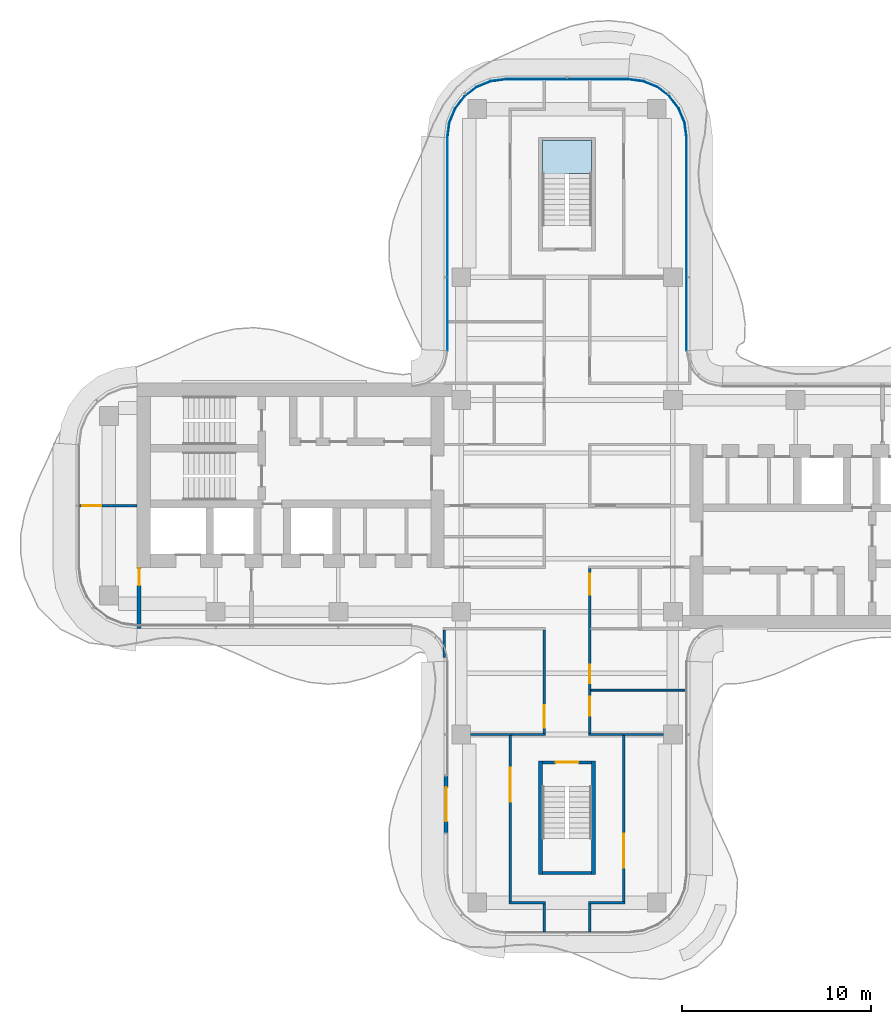
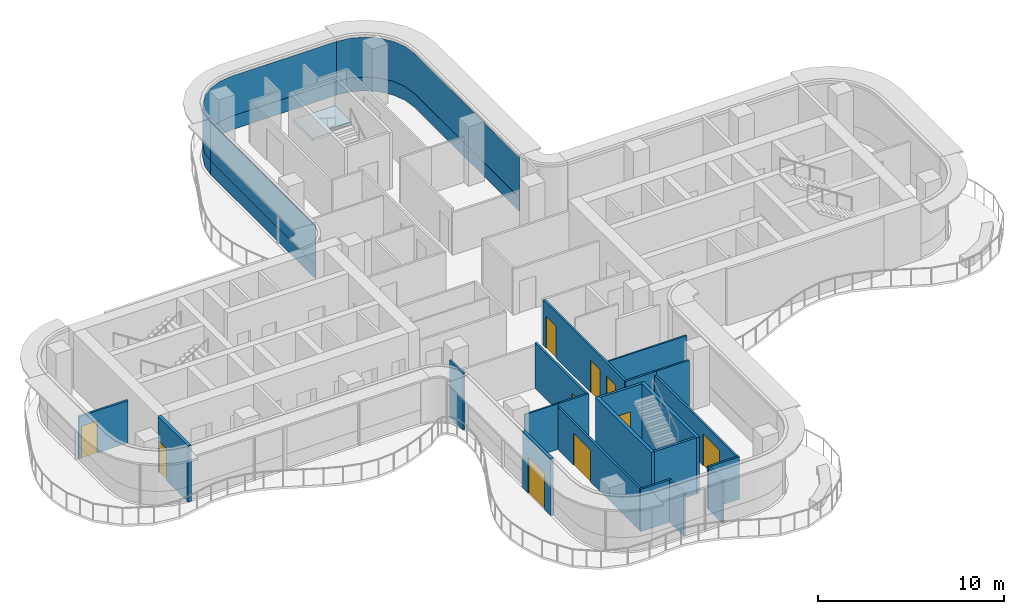
# One storey, part 10 of 16: 21 walls, 10 doors, 6 plates, 1 slab, 10 openings, 4 elements without a shape of their own.
"""IFC4 building model written with IfcOpenShell, lengths in metres."""

import ifcopenshell
import ifcopenshell.guid

model = None  # the IFC model being written
_history = None  # IfcOwnerHistory: only IFC2X3 demands one
_inside = {}  # id of a spatial element -> (the spatial element, [elements in it])
_under = {}  # id of a project, library or spatial element -> (it, [spatial elements below it])
_declared = {}  # id of a project -> (the project, [libraries it declares])
_typed = {}  # id of a type object -> (the type object, [elements of that type])
_made_of = {}  # id of a material, layer set ... -> (it, [elements and type objects made of it])


def new_model(schema):
    """Start an empty IFC model of exactly this schema.

    Asked for "IFC4X3", IfcOpenShell would pick the latest addendum, in which some entities
    have other attributes; the version numbers below select the first issue.
    IFC2X3 requires an IfcOwnerHistory on every rooted entity: one is made here for all.
    """
    global model, _history
    if schema == "IFC4X3":
        model = ifcopenshell.file(schema_version=(4, 3, 0, 0))
    else:
        model = ifcopenshell.file(schema=schema)
    _inside.clear()
    _under.clear()
    _declared.clear()
    _typed.clear()
    _made_of.clear()
    _history = None
    if model.schema == "IFC2X3":
        org = make("IfcOrganization", Name="unknown")
        user = make(
            "IfcPersonAndOrganization",
            ThePerson=make("IfcPerson", FamilyName="unknown"),
            TheOrganization=org,
        )
        app = make(
            "IfcApplication",
            ApplicationDeveloper=org,
            Version="unknown",
            ApplicationFullName="unknown",
            ApplicationIdentifier="unknown",
        )
        _history = make(
            "IfcOwnerHistory",
            OwningUser=user,
            OwningApplication=app,
            ChangeAction="ADDED",
            CreationDate=0,
        )
    return model


def make(cls, **values):
    """One entity of the class cls with the attributes given. An attribute that is None is left unset."""
    return model.create_entity(
        cls, **{name: value for name, value in values.items() if value is not None}
    )


def rooted(cls, **values):
    """An entity with a GlobalId (a new one), such as an element, a storey or a relation."""
    return make(cls, GlobalId=ifcopenshell.guid.new(), OwnerHistory=_history, **values)


def si_unit(unit_type, name, prefix=None):
    """IfcSIUnit, for example si_unit("LENGTHUNIT", "METRE", prefix="MILLI")."""
    return make("IfcSIUnit", UnitType=unit_type, Prefix=prefix, Name=name)


def assignment(units):
    """IfcUnitAssignment: the units of a project."""
    return None if units is None else make("IfcUnitAssignment", Units=units)


def point(xyz):
    """IfcCartesianPoint."""
    return None if xyz is None else make("IfcCartesianPoint", Coordinates=xyz)


def direction(xyz):
    """IfcDirection."""
    return None if xyz is None else make("IfcDirection", DirectionRatios=xyz)


def frame(location, z_axis=None, x_axis=None):
    """IfcAxis2Placement3D, a coordinate frame: its origin and axes. An axis left out is left unset."""
    return make(
        "IfcAxis2Placement3D",
        Location=point(location),
        Axis=direction(z_axis),
        RefDirection=direction(x_axis),
    )


def frame_2d(location, x_axis=None):
    """IfcAxis2Placement2D, a coordinate frame in the plane: its origin and x axis."""
    return make(
        "IfcAxis2Placement2D", Location=point(location), RefDirection=direction(x_axis)
    )


def origin():
    """The frame at (0, 0, 0) with its axes left unset."""
    return frame((0.0, 0.0, 0.0))


def place(relative_to, where):
    """IfcLocalPlacement: puts the frame where relative to a parent placement (None: the world)."""
    return make(
        "IfcLocalPlacement", PlacementRelTo=relative_to, RelativePlacement=where
    )


def context(
    kind, dimensions, precision=None, world=None, true_north=None, identifier=None
):
    """IfcGeometricRepresentationContext, for example the 3D "Model" context."""
    return make(
        "IfcGeometricRepresentationContext",
        ContextIdentifier=identifier,
        ContextType=kind,
        CoordinateSpaceDimension=dimensions,
        Precision=precision,
        WorldCoordinateSystem=world,
        TrueNorth=true_north,
    )


def subcontext(parent, identifier, kind, view, scale=None):
    """IfcGeometricRepresentationSubContext, for example "Body" below "Model"."""
    return make(
        "IfcGeometricRepresentationSubContext",
        ContextIdentifier=identifier,
        ContextType=kind,
        ParentContext=parent,
        TargetScale=scale,
        TargetView=view,
    )


def project(units=None, contexts=None):
    """IfcProject with its units and contexts."""
    return rooted(
        "IfcProject",
        Name="project",
        RepresentationContexts=contexts,
        UnitsInContext=assignment(units),
    )


def spatial(cls, under=None, at=None, **own):
    """A site, building, storey or space (cls), placed at a placement, below another one or the project."""
    s = rooted(cls, ObjectPlacement=at, **own)
    if under is not None:
        _under.setdefault(under.id(), (under, []))[1].append(s)
    return s


def polyline(points):
    """IfcPolyline through the points."""
    return make("IfcPolyline", Points=[point(p) for p in points])


def profile(cls, at=None, kind="AREA", **sizes):
    """A parametric profile (cls). Its sizes go by their IFC names, for example OverallWidth=200.0."""
    return make(cls, ProfileType=kind, Position=at, **sizes)


def rectangle(**sizes):
    """IfcRectangleProfileDef."""
    return profile("IfcRectangleProfileDef", **sizes)


def outline(outer, holes=None, kind="AREA"):
    """IfcArbitraryClosedProfileDef: a profile drawn as a closed curve; with holes, ...WithVoids."""
    if holes is None:
        return make("IfcArbitraryClosedProfileDef", ProfileType=kind, OuterCurve=outer)
    return make(
        "IfcArbitraryProfileDefWithVoids",
        ProfileType=kind,
        OuterCurve=outer,
        InnerCurves=holes,
    )


def extrude(swept, where, along, depth):
    """IfcExtrudedAreaSolid: the profile swept, set in the frame where, extruded along a direction by depth."""
    return make(
        "IfcExtrudedAreaSolid",
        SweptArea=swept,
        Position=where,
        ExtrudedDirection=direction(along),
        Depth=depth,
    )


def shape(context_of_items, identifier, shape_type, items):
    """IfcShapeRepresentation: the items that make up one representation, for example the "Body"."""
    return make(
        "IfcShapeRepresentation",
        ContextOfItems=context_of_items,
        RepresentationIdentifier=identifier,
        RepresentationType=shape_type,
        Items=items,
    )


def source(mapping_origin, context_of_items, identifier, shape_type, items):
    """IfcRepresentationMap: a shape defined once, which mapped items show again and again."""
    return make(
        "IfcRepresentationMap",
        MappingOrigin=mapping_origin,
        MappedRepresentation=shape(context_of_items, identifier, shape_type, items),
    )


def transform(
    local_origin,
    x_axis=None,
    y_axis=None,
    z_axis=None,
    scale=None,
    scale2=None,
    scale3=None,
    uniform=True,
):
    """IfcCartesianTransformationOperator3D, or its non-uniform kind. x_axis, y_axis, z_axis: its Axis1, 2, 3."""
    if uniform:
        return make(
            "IfcCartesianTransformationOperator3D",
            Axis1=direction(x_axis),
            Axis2=direction(y_axis),
            LocalOrigin=point(local_origin),
            Scale=scale,
            Axis3=direction(z_axis),
        )
    return make(
        "IfcCartesianTransformationOperator3DnonUniform",
        Axis1=direction(x_axis),
        Axis2=direction(y_axis),
        LocalOrigin=point(local_origin),
        Scale=scale,
        Axis3=direction(z_axis),
        Scale2=scale2,
        Scale3=scale3,
    )


def mapped(mapping_source, mapping_target):
    """IfcMappedItem: shows the shape of a source again, moved by a transform."""
    return make(
        "IfcMappedItem", MappingSource=mapping_source, MappingTarget=mapping_target
    )


def material(Name=None, Category=None):
    """IfcMaterial."""
    return make("IfcMaterial", Name=Name, Category=Category)


def layer(
    of_material, thickness, ventilated=None, Name=None, Category=None, Priority=None
):
    """IfcMaterialLayer: one layer of a wall or slab, of a material (None: an air gap)."""
    return make(
        "IfcMaterialLayer",
        Material=of_material,
        LayerThickness=thickness,
        IsVentilated=ventilated,
        Name=Name,
        Category=Category,
        Priority=Priority,
    )


def layer_set(layers, Name=None):
    """IfcMaterialLayerSet."""
    return make("IfcMaterialLayerSet", MaterialLayers=layers, LayerSetName=Name)


def made_of(thing, what):
    """Note that an element or type object is made of a material, layer set ...; save() writes the relation."""
    if what is not None:
        _made_of.setdefault(what.id(), (what, []))[1].append(thing)
    return thing


def type_object(cls, material=None, **own):
    """A type object (cls), such as IfcWallType, which elements share."""
    return made_of(rooted(cls, **own), material)


def element(
    cls,
    number,
    at=None,
    inside=None,
    cuts=None,
    type_object=None,
    material=None,
    context=None,
    identifier="Body",
    shape_type=None,
    held_by="IfcProductDefinitionShape",
    body=None,
    shapes=None,
    **own,
):
    """One element of the class cls, such as IfcWall. Its Tag is "e" and its number.

    at: its placement. inside: the storey or other place that contains it. cuts: it is an
    opening in that element (IfcRelVoidsElement). A single representation is given by context,
    identifier, shape_type and body (its items); several are given by shapes. held_by: the class
    of the entity that holds the representations. save() writes the other relations.
    """
    e = rooted(cls, Tag="e%d" % number, ObjectPlacement=at, **own)
    if body is not None:
        shapes = [shape(context, identifier, shape_type, body)]
    if shapes is not None:
        e.Representation = make(held_by, Representations=shapes)
    if inside is not None:
        _inside.setdefault(inside.id(), (inside, []))[1].append(e)
    if cuts is not None:
        rooted(
            "IfcRelVoidsElement", RelatingBuildingElement=cuts, RelatedOpeningElement=e
        )
    if type_object is not None:
        _typed.setdefault(type_object.id(), (type_object, []))[1].append(e)
    return made_of(e, material)


def fill(opening, filler):
    """IfcRelFillsElement: the door or window that sits in an opening."""
    return rooted(
        "IfcRelFillsElement",
        RelatingOpeningElement=opening,
        RelatedBuildingElement=filler,
    )


def aggregate(whole, parts):
    """IfcRelAggregates: a whole, such as a stair, and the parts it consists of."""
    return rooted("IfcRelAggregates", RelatingObject=whole, RelatedObjects=parts)


def save(model, path):
    """Write the relations noted so far, then the file.

    IfcRelAggregates (storeys below a building ...), IfcRelContainedInSpatialStructure (elements
    in a storey), IfcRelDefinesByType, IfcRelAssociatesMaterial and IfcRelDeclares: one each for
    every whole, place, type object, material and project.
    """
    for whole, parts in _under.values():
        aggregate(whole, parts)
    for where, things in _inside.values():
        rooted(
            "IfcRelContainedInSpatialStructure",
            RelatedElements=things,
            RelatingStructure=where,
        )
    for kind, things in _typed.values():
        rooted("IfcRelDefinesByType", RelatedObjects=things, RelatingType=kind)
    for what, things in _made_of.values():
        rooted("IfcRelAssociatesMaterial", RelatedObjects=things, RelatingMaterial=what)
    for by, libraries in _declared.values():
        rooted("IfcRelDeclares", RelatingContext=by, RelatedDefinitions=libraries)
    model.write(path)


model = new_model("IFC4")

# Units and contexts
model_context = context("Model", 3, precision=1e-05, world=origin(), true_north=direction((0.0, 1.0)))
body_context = subcontext(model_context, "Body", "Model", "MODEL_VIEW")
ifc_project = project(units=[si_unit("LENGTHUNIT", "METRE"), si_unit("AREAUNIT", "SQUARE_METRE"), si_unit("VOLUMEUNIT", "CUBIC_METRE"), si_unit("PLANEANGLEUNIT", "RADIAN"), si_unit("MASSUNIT", "GRAM", prefix="KILO")], contexts=[model_context])

# Site, building, storey
site_placement = place(None, origin())
site = spatial("IfcSite", under=ifc_project, at=site_placement, CompositionType="ELEMENT")
building_placement = place(site_placement, origin())
building = spatial("IfcBuilding", under=site, at=building_placement, Name="Trellis Farm Tower", CompositionType="ELEMENT")
storey_placement = place(building_placement, frame((0.0, 0.0, 298.89990234375)))
storey = spatial("IfcBuildingStorey", under=building, at=storey_placement, Name="L67", CompositionType="ELEMENT", Elevation=298.89990234375)

# Stair, slab
ifc_material_1 = material(Name="Concrete C50/60", Category="concrete")
stair_type = type_object("IfcStairType", Name="CORE EXIT STAIR 22 RISERS 177 MM", PredefinedType="HALF_TURN_STAIR", material=ifc_material_1)
placement_1 = place(storey_placement, origin())
stair = element("IfcStair", 1, at=placement_1, inside=storey, type_object=stair_type, Name="Exit stair N", PredefinedType="HALF_TURN_STAIR")
ifc_layer_1 = layer(ifc_material_1, 0.18994140625)
ifc_layer_set_1 = layer_set([ifc_layer_1], Name="CORE STAIR LANDING 190 CONCRETE C50/60")
slab_type = type_object("IfcSlabType", Name="CORE STAIR LANDING 190 CONCRETE C50/60", PredefinedType="LANDING", material=ifc_layer_set_1)
shared_shape_1 = source(origin(), body_context, "Body", "SweptSolid", [
    extrude(outline(polyline([(-0.10009765625, 17.27197265625), (-1.300048828125, 17.27197265625), (-1.300048828125, 17.60009765625), (-1.300048828125, 19.35009765625), (1.300048828125, 19.35009765625), (1.300048828125, 17.60009765625), (1.300048828125, 17.590087890625), (0.10009765625, 17.590087890625), (0.10009765625, 17.60009765625), (-0.10009765625, 17.60009765625), (-0.10009765625, 17.27197265625)])), origin(), (0.0, 0.0, 1.0), 0.190185546875),
])
slab_placement = place(storey_placement, frame((0.0, 0.0, 1.760009765625)))
slab = element("IfcSlab", 2, at=slab_placement, type_object=slab_type, Name="STN landing 1", PredefinedType="LANDING", context=body_context, shape_type="MappedRepresentation", body=[
    mapped(shared_shape_1, transform((0.0, 0.0, 0.0))),
])
aggregate(stair, [slab])

# Curtain wall, plates
ifc_material_2 = material(Name="Aluminium and glass curtain wall", Category="aluminium")
ifc_layer_2 = layer(ifc_material_2, 0.18994140625)
ifc_layer_set_2 = layer_set([ifc_layer_2], Name="RIBBON CURTAIN WALL CW1")
curtain_wall_type = type_object("IfcCurtainWallType", Name="RIBBON CURTAIN WALL CW1", PredefinedType="NOTDEFINED", material=ifc_layer_set_2)
curtain_wall_1 = element("IfcCurtainWall", 3, at=placement_1, inside=storey, type_object=curtain_wall_type, Name="CW1 009", PredefinedType="NOTDEFINED")
ifc_material_3 = material(Name="Clear insulated glass", Category="glass")
ifc_layer_3 = layer(ifc_material_3, 0.0400390625)
ifc_layer_set_3 = layer_set([ifc_layer_3], Name="CW1 GLASS PANEL 40")
plate_type_1 = type_object("IfcPlateType", Name="CW1 GLASS PANEL 40", PredefinedType="CURTAIN_PANEL", material=ifc_layer_set_3)
shared_shape_2 = source(origin(), body_context, "Body", "SweptSolid", [
    extrude(outline(polyline([(6.35009765625, 8.2265625), (6.35009765625, 19.490234375), (6.2431640625, 20.302001953125), (5.93359375, 21.04931640625), (5.441162109375, 21.691162109375), (4.79931640625, 22.18359375), (4.052001953125, 22.4931640625), (3.240234375, 22.60009765625), (3.237548828125, 22.56005859375), (4.04150390625, 22.4541015625), (4.779296875, 22.148681640625), (5.41259765625, 21.66259765625), (5.898681640625, 21.029296875), (6.2041015625, 20.29150390625), (6.31005859375, 19.487548828125), (6.31005859375, 8.22509765625), (6.35009765625, 8.2265625)])), origin(), (0.0, 0.0, 1.0), 2.619873046875),
])
placement_2 = place(storey_placement, frame((0.0, 0.0, 0.900146484375)))
plate_1 = element("IfcPlate", 4, at=placement_2, type_object=plate_type_1, Name="PL1 009", PredefinedType="CURTAIN_PANEL", context=body_context, shape_type="MappedRepresentation", body=[
    mapped(shared_shape_2, transform((0.0, 0.0, 0.0))),
])
ifc_material_4 = material(Name="Sandstone faced insulated panel", Category="masonry")
ifc_layer_4 = layer(ifc_material_4, 0.050048828125)
ifc_layer_set_4 = layer_set([ifc_layer_4], Name="CW1 STONE SPANDREL PANEL 50")
plate_type_2 = type_object("IfcPlateType", Name="CW1 STONE SPANDREL PANEL 50", PredefinedType="CURTAIN_PANEL", material=ifc_layer_set_4)
shared_shape_3 = source(origin(), body_context, "Body", "SweptSolid", [
    extrude(outline(polyline([(6.35009765625, 8.2265625), (6.35009765625, 19.490234375), (6.2431640625, 20.302001953125), (5.93359375, 21.04931640625), (5.441162109375, 21.691162109375), (4.79931640625, 22.18359375), (4.052001953125, 22.4931640625), (3.240234375, 22.60009765625), (3.23681640625, 22.550048828125), (4.0390625, 22.4443359375), (4.774169921875, 22.139892578125), (5.405517578125, 21.655517578125), (5.889892578125, 21.024169921875), (6.1943359375, 20.2890625), (6.300048828125, 19.48681640625), (6.300048828125, 8.224853515625), (6.35009765625, 8.2265625)])), origin(), (0.0, 0.0, 1.0), 0.900146484375),
])
plate_2 = element("IfcPlate", 5, at=placement_1, type_object=plate_type_2, Name="PS1 009", PredefinedType="CURTAIN_PANEL", context=body_context, shape_type="MappedRepresentation", body=[
    mapped(shared_shape_3, transform((0.0, 0.0, 0.0))),
])
aggregate(curtain_wall_1, [plate_1, plate_2])

curtain_wall_2 = element("IfcCurtainWall", 6, at=placement_1, inside=storey, type_object=curtain_wall_type, Name="CW1 011", PredefinedType="NOTDEFINED")
shared_shape_4 = source(origin(), body_context, "Body", "SweptSolid", [
    extrude(outline(polyline([(-6.35009765625, 19.490234375), (-6.35009765625, 8.2265625), (-6.31005859375, 8.22509765625), (-6.31005859375, 19.487548828125), (-6.35009765625, 19.490234375)])), origin(), (0.0, 0.0, 1.0), 2.619873046875),
])
plate_3 = element("IfcPlate", 7, at=placement_2, type_object=plate_type_1, Name="PL1 011", PredefinedType="CURTAIN_PANEL", context=body_context, shape_type="MappedRepresentation", body=[
    mapped(shared_shape_4, transform((0.0, 0.0, 0.0))),
])
shared_shape_5 = source(origin(), body_context, "Body", "SweptSolid", [
    extrude(outline(polyline([(-6.35009765625, 19.490234375), (-6.35009765625, 8.2265625), (-6.300048828125, 8.224853515625), (-6.300048828125, 19.48681640625), (-6.35009765625, 19.490234375)])), origin(), (0.0, 0.0, 1.0), 0.900146484375),
])
plate_4 = element("IfcPlate", 8, at=placement_1, type_object=plate_type_2, Name="PS1 011", PredefinedType="CURTAIN_PANEL", context=body_context, shape_type="MappedRepresentation", body=[
    mapped(shared_shape_5, transform((0.0, 0.0, 0.0))),
])
aggregate(curtain_wall_2, [plate_3, plate_4])

curtain_wall_3 = element("IfcCurtainWall", 9, at=placement_1, inside=storey, type_object=curtain_wall_type, Name="CW1 010", PredefinedType="NOTDEFINED")
shared_shape_6 = source(origin(), body_context, "Body", "SweptSolid", [
    extrude(outline(polyline([(3.240234375, 22.60009765625), (-3.240234375, 22.60009765625), (-4.052001953125, 22.4931640625), (-4.79931640625, 22.18359375), (-5.441162109375, 21.691162109375), (-5.93359375, 21.04931640625), (-6.2431640625, 20.302001953125), (-6.35009765625, 19.490234375), (-6.31005859375, 19.487548828125), (-6.2041015625, 20.29150390625), (-5.898681640625, 21.029296875), (-5.41259765625, 21.66259765625), (-4.779296875, 22.148681640625), (-4.04150390625, 22.4541015625), (-3.237548828125, 22.56005859375), (3.237548828125, 22.56005859375), (3.240234375, 22.60009765625)])), origin(), (0.0, 0.0, 1.0), 2.619873046875),
])
plate_5 = element("IfcPlate", 10, at=placement_2, type_object=plate_type_1, Name="PL1 010", PredefinedType="CURTAIN_PANEL", context=body_context, shape_type="MappedRepresentation", body=[
    mapped(shared_shape_6, transform((0.0, 0.0, 0.0))),
])
shared_shape_7 = source(origin(), body_context, "Body", "SweptSolid", [
    extrude(outline(polyline([(3.240234375, 22.60009765625), (-3.240234375, 22.60009765625), (-4.052001953125, 22.4931640625), (-4.79931640625, 22.18359375), (-5.441162109375, 21.691162109375), (-5.93359375, 21.04931640625), (-6.2431640625, 20.302001953125), (-6.35009765625, 19.490234375), (-6.300048828125, 19.48681640625), (-6.1943359375, 20.2890625), (-5.889892578125, 21.024169921875), (-5.405517578125, 21.655517578125), (-4.774169921875, 22.139892578125), (-4.0390625, 22.4443359375), (-3.23681640625, 22.550048828125), (3.23681640625, 22.550048828125), (3.240234375, 22.60009765625)])), origin(), (0.0, 0.0, 1.0), 0.900146484375),
])
plate_6 = element("IfcPlate", 11, at=placement_1, type_object=plate_type_2, Name="PS1 010", PredefinedType="CURTAIN_PANEL", context=body_context, shape_type="MappedRepresentation", body=[
    mapped(shared_shape_7, transform((0.0, 0.0, 0.0))),
])
aggregate(curtain_wall_3, [plate_5, plate_6])

# Wall, opening, door
ifc_material_5 = material(Name="Masonry blockwork", Category="masonry")
ifc_layer_5 = layer(ifc_material_5, 0.199951171875)
ifc_layer_set_5 = layer_set([ifc_layer_5], Name="FIRE LOBBY PARTITION 200 BLOCKWORK")
wall_type_1 = type_object("IfcWallType", Name="FIRE LOBBY PARTITION 200 BLOCKWORK", PredefinedType="PARTITIONING", material=ifc_layer_set_5)
shared_shape_8 = source(origin(), body_context, "Body", "SweptSolid", [
    extrude(rectangle(XDim=3.25, YDim=0.199951171875, at=frame_2d((1.625, 0.0))), origin(), (0.0, 0.0, 1.0), 3.7001953125),
])
wall_1_placement = place(storey_placement, frame((-22.64990234375, -3.25, 0.0), z_axis=(0.0, 0.0, 1.0), x_axis=(0.0, -1.0, 0.0)))
wall_1 = element("IfcWall", 12, at=wall_1_placement, inside=storey, type_object=wall_type_1, Name="Fire-fighting lobby partition", PredefinedType="PARTITIONING", context=body_context, shape_type="MappedRepresentation", body=[
    mapped(shared_shape_8, transform((0.0, 0.0, 0.0))),
])
shared_shape_9 = source(origin(), body_context, "Body", "SweptSolid", [
    extrude(rectangle(XDim=0.89990234375, YDim=2.10009765625, at=frame_2d((0.449951171875, 1.050048828125))), frame((0.0, 0.110107421875, 0.0), z_axis=(0.0, -1.0, 0.0), x_axis=(1.0, 0.0, 0.0)), (0.0, 0.0, 1.0), 0.22021484375),
])
opening_1_placement = place(wall_1_placement, frame((0.050048828125, 0.0, 0.0)))
opening_1 = element("IfcOpeningElement", 13, at=opening_1_placement, cuts=wall_1, Name="Opening DC94", PredefinedType="OPENING", context=body_context, shape_type="MappedRepresentation", body=[
    mapped(shared_shape_9, transform((0.0, 0.0, 0.0))),
])
ifc_material_6 = material(Name="Steel", Category="steel")
door_type_1 = type_object("IfcDoorType", Name="CORE FIRE DOOR 900 X 2100", OperationType="NOTDEFINED", PredefinedType="DOOR", material=ifc_material_6)
shared_shape_10 = source(origin(), body_context, "Body", "SweptSolid", [
    extrude(rectangle(XDim=0.89990234375, YDim=2.10009765625, at=frame_2d((0.449951171875, 1.050048828125))), frame((0.0, 0.02490234375, 0.0), z_axis=(0.0, -1.0, 0.0), x_axis=(1.0, 0.0, 0.0)), (0.0, 0.0, 1.0), 0.050048828125),
])
door_1_placement = place(opening_1_placement, origin())
door_1 = element("IfcDoor", 14, at=door_1_placement, inside=storey, type_object=door_type_1, Name="Core door", OperationType="SINGLE_SWING_RIGHT", OverallHeight=2.10009765625, OverallWidth=0.89990234375, PredefinedType="DOOR", context=body_context, shape_type="MappedRepresentation", body=[
    mapped(shared_shape_10, transform((0.0, 0.0, 0.0))),
])
fill(opening_1, door_1)

# Walls
ifc_layer_6 = layer(ifc_material_1, 0.199951171875)
ifc_layer_set_6 = layer_set([ifc_layer_6], Name="CORE STAIR ENCLOSURE WALL 200 CONCRETE C50/60")
wall_type_2 = type_object("IfcWallType", Name="CORE STAIR ENCLOSURE WALL 200 CONCRETE C50/60", PredefinedType="SHEAR", material=ifc_layer_set_6)
shared_shape_11 = source(origin(), body_context, "Body", "SweptSolid", [
    extrude(rectangle(XDim=6.0, YDim=0.199951171875, at=frame_2d((3.0, 0.0))), origin(), (0.0, 0.0, 1.0), 3.7001953125),
])
for number, where, z_axis, x_axis, name in (
    (15, (1.39990234375, -13.5, 0.0), (0.0, 0.0, 1.0), (0.0, -1.0, 0.0), "Stair enclosure wall"),
    (16, (-1.39990234375, -13.5, 0.0), (0.0, 0.0, 1.0), (0.0, -1.0, 0.0), "Stair enclosure wall"),
):
    element("IfcWall", number, at=place(storey_placement, frame(where, z_axis=z_axis, x_axis=x_axis)), inside=storey, type_object=wall_type_2, Name=name, PredefinedType="SHEAR", context=body_context, shape_type="MappedRepresentation", body=[
        mapped(shared_shape_11, transform((0.0, 0.0, 0.0))),
    ])

# Wall, opening, door
ifc_layer_7 = layer(ifc_material_1, 0.14990234375)
ifc_layer_set_7 = layer_set([ifc_layer_7], Name="CORE STAIR ENCLOSURE WALL 150 CONCRETE C50/60")
wall_type_3 = type_object("IfcWallType", Name="CORE STAIR ENCLOSURE WALL 150 CONCRETE C50/60", PredefinedType="SHEAR", material=ifc_layer_set_7)
shared_shape_12 = source(origin(), body_context, "Body", "SweptSolid", [
    extrude(rectangle(XDim=2.60009765625, YDim=0.14990234375, at=frame_2d((1.300048828125, 0.0))), origin(), (0.0, 0.0, 1.0), 3.7001953125),
])
wall_2_placement = place(storey_placement, frame((1.300048828125, -13.574951171875, 0.0), z_axis=(0.0, 0.0, 1.0), x_axis=(-1.0, 0.0, 0.0)))
wall_2 = element("IfcWall", 17, at=wall_2_placement, inside=storey, type_object=wall_type_3, Name="Stair enclosure wall", PredefinedType="SHEAR", context=body_context, shape_type="MappedRepresentation", body=[
    mapped(shared_shape_12, transform((0.0, 0.0, 0.0))),
])
shared_shape_13 = source(origin(), body_context, "Body", "SweptSolid", [
    extrude(rectangle(XDim=1.199951171875, YDim=2.10009765625, at=frame_2d((0.60009765625, 1.050048828125))), frame((0.0, 0.0849609375, 0.0), z_axis=(0.0, -1.0, 0.0), x_axis=(1.0, 0.0, 0.0)), (0.0, 0.0, 1.0), 0.169921875),
])
opening_2_placement = place(wall_2_placement, frame((0.699951171875, 0.0, 0.0)))
opening_2 = element("IfcOpeningElement", 18, at=opening_2_placement, cuts=wall_2, Name="Opening DC174", PredefinedType="OPENING", context=body_context, shape_type="MappedRepresentation", body=[
    mapped(shared_shape_13, transform((0.0, 0.0, 0.0))),
])
door_type_2 = type_object("IfcDoorType", Name="CORE FIRE DOOR 1200 X 2100", OperationType="NOTDEFINED", PredefinedType="DOOR", material=ifc_material_6)
shared_shape_14 = source(origin(), body_context, "Body", "SweptSolid", [
    extrude(rectangle(XDim=1.199951171875, YDim=2.10009765625, at=frame_2d((0.60009765625, 1.050048828125))), frame((0.0, 0.02490234375, 0.0), z_axis=(0.0, -1.0, 0.0), x_axis=(1.0, 0.0, 0.0)), (0.0, 0.0, 1.0), 0.050048828125),
])
door_2_placement = place(opening_2_placement, origin())
door_2 = element("IfcDoor", 19, at=door_2_placement, inside=storey, type_object=door_type_2, Name="Core door", OperationType="SINGLE_SWING_RIGHT", OverallHeight=2.10009765625, OverallWidth=1.199951171875, PredefinedType="DOOR", context=body_context, shape_type="MappedRepresentation", body=[
    mapped(shared_shape_14, transform((0.0, 0.0, 0.0))),
])
fill(opening_2, door_2)

# Wall
wall_3_placement = place(storey_placement, frame((1.300048828125, -19.425048828125, 0.0), z_axis=(0.0, 0.0, 1.0), x_axis=(-1.0, 0.0, 0.0)))
element("IfcWall", 20, at=wall_3_placement, inside=storey, type_object=wall_type_3, Name="Stair enclosure wall", PredefinedType="SHEAR", context=body_context, shape_type="MappedRepresentation", body=[
    mapped(shared_shape_12, transform((0.0, 0.0, 0.0))),
])

# Wall, opening, door
ifc_material_7 = material(Name="Sandstone faced insulated wall", Category="masonry")
ifc_layer_8 = layer(ifc_material_7, 0.199951171875)
ifc_layer_set_8 = layer_set([ifc_layer_8], Name="EXTERNAL INFILL WALL 200")
wall_type_4 = type_object("IfcWallType", Name="EXTERNAL INFILL WALL 200", PredefinedType="SOLIDWALL", material=ifc_layer_set_8)
shared_shape_15 = source(origin(), body_context, "Body", "SweptSolid", [
    extrude(rectangle(XDim=3.0, YDim=0.199951171875, at=frame_2d((1.5, 0.0))), origin(), (0.0, 0.0, 1.0), 3.7001953125),
])
wall_4_placement = place(storey_placement, frame((-6.39990234375, -14.300048828125, 0.0), z_axis=(0.0, 0.0, 1.0), x_axis=(0.0, -1.0, 0.0)))
wall_4 = element("IfcWall", 21, at=wall_4_placement, inside=storey, type_object=wall_type_4, Name="EW1 01", PredefinedType="SOLIDWALL", context=body_context, shape_type="MappedRepresentation", body=[
    mapped(shared_shape_15, transform((0.0, 0.0, 0.0))),
])
shared_shape_16 = source(origin(), body_context, "Body", "SweptSolid", [
    extrude(rectangle(XDim=1.800048828125, YDim=2.39990234375, at=frame_2d((0.89990234375, 1.199951171875))), frame((0.0, 0.110107421875, 0.0), z_axis=(0.0, -1.0, 0.0), x_axis=(1.0, 0.0, 0.0)), (0.0, 0.0, 1.0), 0.22021484375),
])
opening_3_placement = place(wall_4_placement, frame((0.60009765625, 0.0, 0.0)))
opening_3 = element("IfcOpeningElement", 22, at=opening_3_placement, cuts=wall_4, Name="Opening ED1", PredefinedType="OPENING", context=body_context, shape_type="MappedRepresentation", body=[
    mapped(shared_shape_16, transform((0.0, 0.0, 0.0))),
])
ifc_material_8 = material(Name="Aluminium framed glazed door", Category="aluminium")
door_type_3 = type_object("IfcDoorType", Name="BALCONY DOOR 1800x2400", OperationType="DOUBLE_DOOR_SINGLE_SWING", PredefinedType="DOOR", material=ifc_material_8)
shared_shape_17 = source(origin(), body_context, "Body", "SweptSolid", [
    extrude(rectangle(XDim=1.800048828125, YDim=2.39990234375, at=frame_2d((0.89990234375, 1.199951171875))), frame((0.0, 0.02490234375, 0.0), z_axis=(0.0, -1.0, 0.0), x_axis=(1.0, 0.0, 0.0)), (0.0, 0.0, 1.0), 0.050048828125),
])
door_3_placement = place(opening_3_placement, origin())
door_3 = element("IfcDoor", 23, at=door_3_placement, inside=storey, type_object=door_type_3, Name="Balcony door", OperationType="DOUBLE_DOOR_SINGLE_SWING", OverallHeight=2.39990234375, OverallWidth=1.800048828125, PredefinedType="DOOR", context=body_context, shape_type="MappedRepresentation", body=[
    mapped(shared_shape_17, transform((0.0, 0.0, 0.0))),
])
fill(opening_3, door_3)

ifc_material_9 = material(Name="Plasterboard on steel studs, mineral wool", Category="steel")
ifc_layer_9 = layer(ifc_material_9, 0.125)
ifc_layer_set_9 = layer_set([ifc_layer_9], Name="PARTITION 125 STUD EI 60")
wall_type_5 = type_object("IfcWallType", Name="PARTITION 125 STUD EI 60", PredefinedType="PARTITIONING", material=ifc_layer_set_9)
shared_shape_18 = source(origin(), body_context, "Body", "SweptSolid", [
    extrude(rectangle(XDim=5.47509765625, YDim=0.125, at=frame_2d((2.737548828125, 0.0))), origin(), (0.0, 0.0, 1.0), 2.99658203125),
])
wall_5_placement = place(storey_placement, frame((-1.199951171875, -6.5625, 0.0), z_axis=(0.0, 0.0, 1.0), x_axis=(0.0, -1.0, 0.0)))
wall_5 = element("IfcWall", 24, at=wall_5_placement, inside=storey, type_object=wall_type_5, Name="Partition PW1", PredefinedType="PARTITIONING", context=body_context, shape_type="MappedRepresentation", body=[
    mapped(shared_shape_18, transform((0.0, 0.0, 0.0))),
])
shared_shape_19 = source(origin(), body_context, "Body", "SweptSolid", [
    extrude(rectangle(XDim=1.199951171875, YDim=2.10009765625, at=frame_2d((0.60009765625, 1.050048828125))), frame((0.0, 0.072509765625, 0.0), z_axis=(0.0, -1.0, 0.0), x_axis=(1.0, 0.0, 0.0)), (0.0, 0.0, 1.0), 0.14501953125),
])
opening_4_placement = place(wall_5_placement, frame((3.987548828125, 0.0, 0.0)))
opening_4 = element("IfcOpeningElement", 25, at=opening_4_placement, cuts=wall_5, Name="Opening D601", PredefinedType="OPENING", context=body_context, shape_type="MappedRepresentation", body=[
    mapped(shared_shape_19, transform((0.0, 0.0, 0.0))),
])
ifc_material_10 = material(Name="Fire-rated timber door leaf in a hollow metal frame", Category="wood")
door_type_4 = type_object("IfcDoorType", Name="DOOR 1200x2100 FD30S", OperationType="NOTDEFINED", PredefinedType="DOOR", material=ifc_material_10)
door_4_placement = place(opening_4_placement, origin())
door_4 = element("IfcDoor", 26, at=door_4_placement, inside=storey, type_object=door_type_4, Name="Door D601", OperationType="SINGLE_SWING_RIGHT", OverallHeight=2.10009765625, OverallWidth=1.199951171875, PredefinedType="DOOR", context=body_context, shape_type="MappedRepresentation", body=[
    mapped(shared_shape_14, transform((0.0, 0.0, 0.0))),
])
fill(opening_4, door_4)

# Wall
shared_shape_20 = source(origin(), body_context, "Body", "SweptSolid", [
    extrude(rectangle(XDim=1.468994140625, YDim=0.125, at=frame_2d((0.734375, 0.0))), origin(), (0.0, 0.0, 1.0), 3.7001953125),
])
wall_6_placement = place(storey_placement, frame((-6.5, -6.5625, 0.0), z_axis=(0.0, 0.0, 1.0), x_axis=(0.0, -1.0, 0.0)))
element("IfcWall", 27, at=wall_6_placement, inside=storey, type_object=wall_type_5, Name="Partition PW1", PredefinedType="PARTITIONING", context=body_context, shape_type="MappedRepresentation", body=[
    mapped(shared_shape_20, transform((0.0, 0.0, 0.0))),
])

# Wall, openings, doors
shared_shape_21 = source(origin(), body_context, "Body", "SweptSolid", [
    extrude(rectangle(XDim=8.72509765625, YDim=0.125, at=frame_2d((4.362548828125, 0.0))), origin(), (0.0, 0.0, 1.0), 2.99658203125),
])
wall_7_placement = place(storey_placement, frame((1.199951171875, -3.3125, 0.0), z_axis=(0.0, 0.0, 1.0), x_axis=(0.0, -1.0, 0.0)))
wall_7 = element("IfcWall", 28, at=wall_7_placement, inside=storey, type_object=wall_type_5, Name="Partition PW1", PredefinedType="PARTITIONING", context=body_context, shape_type="MappedRepresentation", body=[
    mapped(shared_shape_21, transform((0.0, 0.0, 0.0))),
])
shared_shape_22 = source(origin(), body_context, "Body", "SweptSolid", [
    extrude(rectangle(XDim=1.0, YDim=2.10009765625, at=frame_2d((0.5, 1.050048828125))), frame((0.0, 0.072509765625, 0.0), z_axis=(0.0, -1.0, 0.0), x_axis=(1.0, 0.0, 0.0)), (0.0, 0.0, 1.0), 0.14501953125),
])
opening_5_placement = place(wall_7_placement, frame((6.78759765625, 0.0, 0.0)))
opening_5 = element("IfcOpeningElement", 29, at=opening_5_placement, cuts=wall_7, Name="Opening D101", PredefinedType="OPENING", context=body_context, shape_type="MappedRepresentation", body=[
    mapped(shared_shape_22, transform((0.0, 0.0, 0.0))),
])
opening_6_placement = place(wall_7_placement, frame((5.08740234375, 0.0, 0.0)))
opening_6 = element("IfcOpeningElement", 30, at=opening_6_placement, cuts=wall_7, Name="Opening D102", PredefinedType="OPENING", context=body_context, shape_type="MappedRepresentation", body=[
    mapped(shared_shape_22, transform((0.0, 0.0, 0.0))),
])
shared_shape_23 = source(origin(), body_context, "Body", "SweptSolid", [
    extrude(rectangle(XDim=1.10009765625, YDim=2.10009765625, at=frame_2d((0.550048828125, 1.050048828125))), frame((0.0, 0.072509765625, 0.0), z_axis=(0.0, -1.0, 0.0), x_axis=(1.0, 0.0, 0.0)), (0.0, 0.0, 1.0), 0.14501953125),
])
opening_7_placement = place(wall_7_placement, frame((0.28759765625, 0.0, 0.0)))
opening_7 = element("IfcOpeningElement", 31, at=opening_7_placement, cuts=wall_7, Name="Opening D501", PredefinedType="OPENING", context=body_context, shape_type="MappedRepresentation", body=[
    mapped(shared_shape_23, transform((0.0, 0.0, 0.0))),
])
door_type_5 = type_object("IfcDoorType", Name="DOOR 1100x2100 FD30S", OperationType="NOTDEFINED", PredefinedType="DOOR", material=ifc_material_10)
shared_shape_24 = source(origin(), body_context, "Body", "SweptSolid", [
    extrude(rectangle(XDim=1.10009765625, YDim=2.10009765625, at=frame_2d((0.550048828125, 1.050048828125))), frame((0.0, 0.02490234375, 0.0), z_axis=(0.0, -1.0, 0.0), x_axis=(1.0, 0.0, 0.0)), (0.0, 0.0, 1.0), 0.050048828125),
])
door_5_placement = place(opening_7_placement, origin())
door_5 = element("IfcDoor", 32, at=door_5_placement, inside=storey, type_object=door_type_5, Name="Door D501", OperationType="SINGLE_SWING_LEFT", OverallHeight=2.10009765625, OverallWidth=1.10009765625, PredefinedType="DOOR", context=body_context, shape_type="MappedRepresentation", body=[
    mapped(shared_shape_24, transform((0.0, 0.0, 0.0))),
])
fill(opening_7, door_5)
door_type_6 = type_object("IfcDoorType", Name="DOOR 1000x2100 FD30S", OperationType="NOTDEFINED", PredefinedType="DOOR", material=ifc_material_10)
shared_shape_25 = source(origin(), body_context, "Body", "SweptSolid", [
    extrude(rectangle(XDim=1.0, YDim=2.10009765625, at=frame_2d((0.5, 1.050048828125))), frame((0.0, 0.02490234375, 0.0), z_axis=(0.0, -1.0, 0.0), x_axis=(1.0, 0.0, 0.0)), (0.0, 0.0, 1.0), 0.050048828125),
])
door_6_placement = place(opening_5_placement, origin())
door_6 = element("IfcDoor", 33, at=door_6_placement, inside=storey, type_object=door_type_6, Name="Door D101", OperationType="SINGLE_SWING_LEFT", OverallHeight=2.10009765625, OverallWidth=1.0, PredefinedType="DOOR", context=body_context, shape_type="MappedRepresentation", body=[
    mapped(shared_shape_25, transform((0.0, 0.0, 0.0))),
])
fill(opening_5, door_6)
door_7_placement = place(opening_6_placement, origin())
door_7 = element("IfcDoor", 34, at=door_7_placement, inside=storey, type_object=door_type_6, Name="Door D102", OperationType="SINGLE_SWING_RIGHT", OverallHeight=2.10009765625, OverallWidth=1.0, PredefinedType="DOOR", context=body_context, shape_type="MappedRepresentation", body=[
    mapped(shared_shape_25, transform((0.0, 0.0, 0.0))),
])
fill(opening_6, door_7)

# Walls
shared_shape_26 = source(origin(), body_context, "Body", "SweptSolid", [
    extrude(rectangle(XDim=1.925048828125, YDim=0.125, at=frame_2d((0.96240234375, 0.0))), origin(), (0.0, 0.0, 1.0), 2.99658203125),
])
for number, where, z_axis, x_axis, name in (
    (35, (-3.0625, -12.10009765625, 0.0), (0.0, 0.0, 1.0), (1.0, 0.0, 0.0), "Partition PW1"),
    (36, (1.137451171875, -12.10009765625, 0.0), (0.0, 0.0, 1.0), (1.0, 0.0, 0.0), "Partition PW1"),
):
    element("IfcWall", number, at=place(storey_placement, frame(where, z_axis=z_axis, x_axis=x_axis)), inside=storey, type_object=wall_type_5, Name=name, PredefinedType="PARTITIONING", context=body_context, shape_type="MappedRepresentation", body=[
        mapped(shared_shape_26, transform((0.0, 0.0, 0.0))),
    ])
ifc_material_11 = material(Name="Plasterboard on steel studs", Category="steel")
ifc_layer_10 = layer(ifc_material_11, 0.10009765625)
ifc_layer_set_10 = layer_set([ifc_layer_10], Name="PARTITION 100 STUD EI 30")
wall_type_6 = type_object("IfcWallType", Name="PARTITION 100 STUD EI 30", PredefinedType="PARTITIONING", material=ifc_layer_set_10)
shared_shape_27 = source(origin(), body_context, "Body", "SweptSolid", [
    extrude(rectangle(XDim=5.03759765625, YDim=0.10009765625, at=frame_2d((2.518798828125, 0.0))), origin(), (0.0, 0.0, 1.0), 2.780029296875),
])
wall_8_placement = place(storey_placement, frame((1.262451171875, -9.75, 0.0), z_axis=(0.0, 0.0, 1.0), x_axis=(1.0, 0.0, 0.0)))
element("IfcWall", 37, at=wall_8_placement, inside=storey, type_object=wall_type_6, Name="Partition PW2", PredefinedType="PARTITIONING", context=body_context, shape_type="MappedRepresentation", body=[
    mapped(shared_shape_27, transform((0.0, 0.0, 0.0))),
])
shared_shape_28 = source(origin(), body_context, "Body", "SweptSolid", [
    extrude(rectangle(XDim=1.487548828125, YDim=0.125, at=frame_2d((0.74365234375, 0.0))), origin(), (0.0, 0.0, 1.0), 2.780029296875),
])
for number, where, z_axis, x_axis, name in (
    (38, (-1.199951171875, -21.0625, 0.0), (0.0, 0.0, 1.0), (0.0, -1.0, 0.0), "Partition PW1"),
    (39, (1.199951171875, -21.0625, 0.0), (0.0, 0.0, 1.0), (0.0, -1.0, 0.0), "Partition PW1"),
):
    element("IfcWall", number, at=place(storey_placement, frame(where, z_axis=z_axis, x_axis=x_axis)), inside=storey, type_object=wall_type_5, Name=name, PredefinedType="PARTITIONING", context=body_context, shape_type="MappedRepresentation", body=[
        mapped(shared_shape_28, transform((0.0, 0.0, 0.0))),
    ])
shared_shape_29 = source(origin(), body_context, "Body", "SweptSolid", [
    extrude(rectangle(XDim=1.925048828125, YDim=0.125, at=frame_2d((0.96240234375, 0.0))), origin(), (0.0, 0.0, 1.0), 2.780029296875),
])
for number, where, z_axis, x_axis, name in (
    (40, (-1.137451171875, -21.0, 0.0), (0.0, 0.0, 1.0), (-1.0, 0.0, 0.0), "Partition PW1"),
    (41, (3.0625, -21.0, 0.0), (0.0, 0.0, 1.0), (-1.0, 0.0, 0.0), "Partition PW1"),
):
    element("IfcWall", number, at=place(storey_placement, frame(where, z_axis=z_axis, x_axis=x_axis)), inside=storey, type_object=wall_type_5, Name=name, PredefinedType="PARTITIONING", context=body_context, shape_type="MappedRepresentation", body=[
        mapped(shared_shape_29, transform((0.0, 0.0, 0.0))),
    ])

# Wall, opening, door
shared_shape_30 = source(origin(), body_context, "Body", "SweptSolid", [
    extrude(rectangle(XDim=8.78759765625, YDim=0.125, at=frame_2d((4.393798828125, 0.0))), origin(), (0.0, 0.0, 1.0), 2.780029296875),
])
wall_9_placement = place(storey_placement, frame((-3.0, -20.9375, 0.0), z_axis=(0.0, 0.0, 1.0), x_axis=(0.0, 1.0, 0.0)))
wall_9 = element("IfcWall", 42, at=wall_9_placement, inside=storey, type_object=wall_type_5, Name="Partition PW1", PredefinedType="PARTITIONING", context=body_context, shape_type="MappedRepresentation", body=[
    mapped(shared_shape_30, transform((0.0, 0.0, 0.0))),
])
shared_shape_31 = source(origin(), body_context, "Body", "SweptSolid", [
    extrude(rectangle(XDim=1.800048828125, YDim=2.10009765625, at=frame_2d((0.89990234375, 1.050048828125))), frame((0.0, 0.072509765625, 0.0), z_axis=(0.0, -1.0, 0.0), x_axis=(1.0, 0.0, 0.0)), (0.0, 0.0, 1.0), 0.14501953125),
])
opening_8_placement = place(wall_9_placement, frame((5.28759765625, 0.0, 0.0)))
opening_8 = element("IfcOpeningElement", 43, at=opening_8_placement, cuts=wall_9, Name="Opening D202", PredefinedType="OPENING", context=body_context, shape_type="MappedRepresentation", body=[
    mapped(shared_shape_31, transform((0.0, 0.0, 0.0))),
])
door_type_7 = type_object("IfcDoorType", Name="DOOR PAIR 1800x2100 FD30S", OperationType="NOTDEFINED", PredefinedType="DOOR", material=ifc_material_10)
shared_shape_32 = source(origin(), body_context, "Body", "SweptSolid", [
    extrude(rectangle(XDim=1.800048828125, YDim=2.10009765625, at=frame_2d((0.89990234375, 1.050048828125))), frame((0.0, 0.02490234375, 0.0), z_axis=(0.0, -1.0, 0.0), x_axis=(1.0, 0.0, 0.0)), (0.0, 0.0, 1.0), 0.050048828125),
])
door_8_placement = place(opening_8_placement, origin())
door_8 = element("IfcDoor", 44, at=door_8_placement, inside=storey, type_object=door_type_7, Name="Door D202", OperationType="DOUBLE_DOOR_SINGLE_SWING", OverallHeight=2.10009765625, OverallWidth=1.800048828125, PredefinedType="DOOR", context=body_context, shape_type="MappedRepresentation", body=[
    mapped(shared_shape_32, transform((0.0, 0.0, 0.0))),
])
fill(opening_8, door_8)

wall_10_placement = place(storey_placement, frame((3.0, -12.14990234375, 0.0), z_axis=(0.0, 0.0, 1.0), x_axis=(0.0, -1.0, 0.0)))
wall_10 = element("IfcWall", 45, at=wall_10_placement, inside=storey, type_object=wall_type_5, Name="Partition PW1", PredefinedType="PARTITIONING", context=body_context, shape_type="MappedRepresentation", body=[
    mapped(shared_shape_30, transform((0.0, 0.0, 0.0))),
])
opening_9_placement = place(wall_10_placement, frame((5.199951171875, 0.0, 0.0)))
opening_9 = element("IfcOpeningElement", 46, at=opening_9_placement, cuts=wall_10, Name="Opening D201", PredefinedType="OPENING", context=body_context, shape_type="MappedRepresentation", body=[
    mapped(shared_shape_31, transform((0.0, 0.0, 0.0))),
])
door_9_placement = place(opening_9_placement, origin())
door_9 = element("IfcDoor", 47, at=door_9_placement, inside=storey, type_object=door_type_7, Name="Door D201", OperationType="DOUBLE_DOOR_SINGLE_SWING", OverallHeight=2.10009765625, OverallWidth=1.800048828125, PredefinedType="DOOR", context=body_context, shape_type="MappedRepresentation", body=[
    mapped(shared_shape_32, transform((0.0, 0.0, 0.0))),
])
fill(opening_9, door_9)

shared_shape_33 = source(origin(), body_context, "Body", "SweptSolid", [
    extrude(rectangle(XDim=3.050048828125, YDim=0.125, at=frame_2d((1.52490234375, 0.0))), origin(), (0.0, 0.0, 1.0), 2.780029296875),
])
wall_11_placement = place(storey_placement, frame((-25.800048828125, 0.0, 0.0), z_axis=(0.0, 0.0, 1.0), x_axis=(1.0, 0.0, 0.0)))
wall_11 = element("IfcWall", 48, at=wall_11_placement, inside=storey, type_object=wall_type_5, Name="Partition PW1", PredefinedType="PARTITIONING", context=body_context, shape_type="MappedRepresentation", body=[
    mapped(shared_shape_33, transform((0.0, 0.0, 0.0))),
])
opening_10_placement = place(wall_11_placement, frame((0.14990234375, 0.0, 0.0)))
opening_10 = element("IfcOpeningElement", 49, at=opening_10_placement, cuts=wall_11, Name="Opening D104", PredefinedType="OPENING", context=body_context, shape_type="MappedRepresentation", body=[
    mapped(shared_shape_22, transform((0.0, 0.0, 0.0))),
])
door_10_placement = place(opening_10_placement, origin())
door_10 = element("IfcDoor", 50, at=door_10_placement, inside=storey, type_object=door_type_6, Name="Door D104", OperationType="SINGLE_SWING_LEFT", OverallHeight=2.10009765625, OverallWidth=1.0, PredefinedType="DOOR", context=body_context, shape_type="MappedRepresentation", body=[
    mapped(shared_shape_25, transform((0.0, 0.0, 0.0))),
])
fill(opening_10, door_10)

# Walls
shared_shape_34 = source(origin(), body_context, "Body", "SweptSolid", [
    extrude(rectangle(XDim=2.16259765625, YDim=0.10009765625, at=frame_2d((1.081298828125, 0.0))), origin(), (0.0, 0.0, 1.0), 2.99658203125),
])
for number, where, z_axis, x_axis, name in (
    (51, (-5.10009765625, -12.10009765625, 0.0), (0.0, 0.0, 1.0), (1.0, 0.0, 0.0), "Partition PW2"),
    (52, (2.9375, -12.10009765625, 0.0), (0.0, 0.0, 1.0), (1.0, 0.0, 0.0), "Partition PW2"),
):
    element("IfcWall", number, at=place(storey_placement, frame(where, z_axis=z_axis, x_axis=x_axis)), inside=storey, type_object=wall_type_6, Name=name, PredefinedType="PARTITIONING", context=body_context, shape_type="MappedRepresentation", body=[
        mapped(shared_shape_34, transform((0.0, 0.0, 0.0))),
    ])

save(model, "model.ifc")
